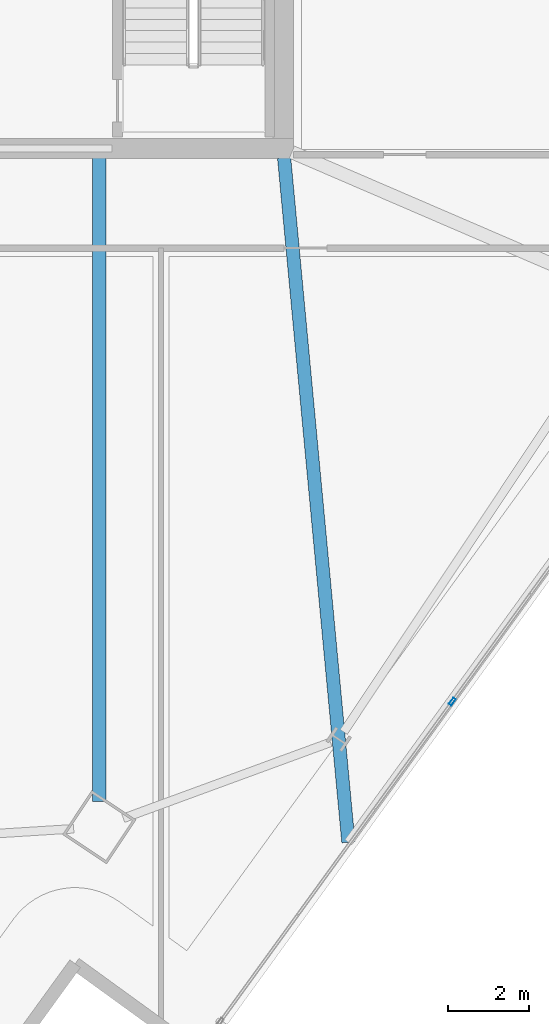
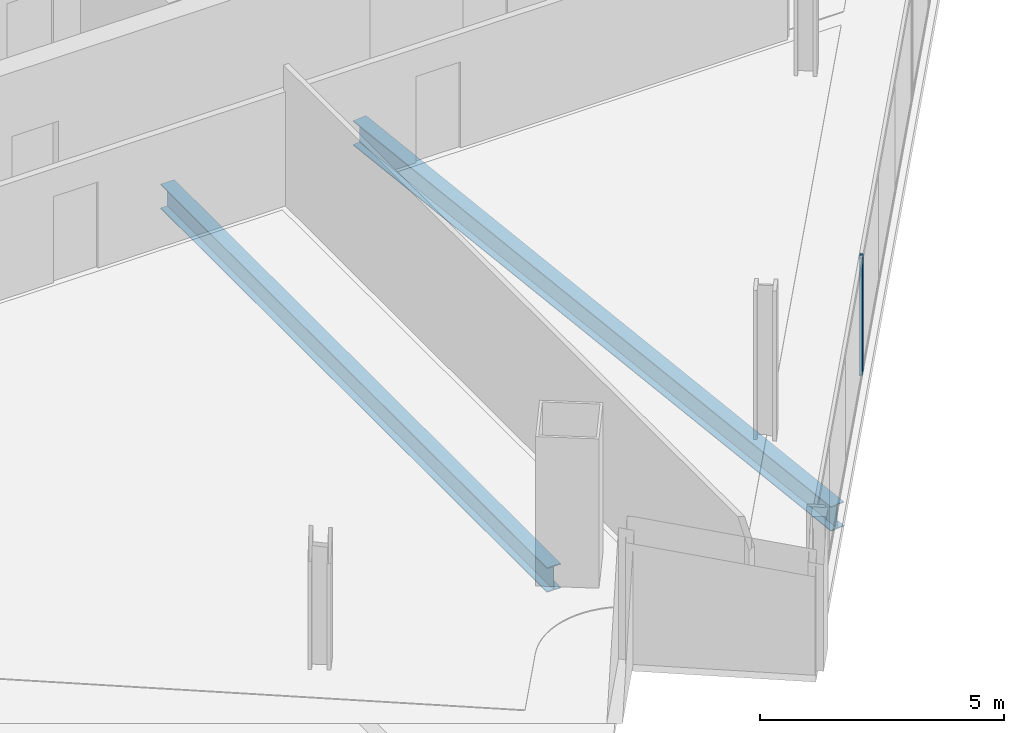
# One storey, part 9 of 29: 2 beams, 1 member, 1 element without a shape of its own.
"""IFC4 building model written with IfcOpenShell, lengths in metres."""

from ifc_helpers import new_model, si_unit, direction, frame, origin, origin_2d, place, context, subcontext, project, spatial, hollow_rectangle, i_section, extrude, material, material_profile, profile_set, type_object, element, aggregate, save


model = new_model("IFC4")

# Units and contexts
model_context = context("Model", 3, precision=1e-05, world=origin(), true_north=direction((0.0, 1.0)))
body_context = subcontext(model_context, "Body", "Model", "MODEL_VIEW")
ifc_project = project(units=[si_unit("LENGTHUNIT", "METRE"), si_unit("AREAUNIT", "SQUARE_METRE"), si_unit("VOLUMEUNIT", "CUBIC_METRE"), si_unit("PLANEANGLEUNIT", "RADIAN"), si_unit("MASSUNIT", "GRAM", prefix="KILO")], contexts=[model_context])

# Site, building, storey
site_placement = place(None, origin())
site = spatial("IfcSite", under=ifc_project, at=site_placement, CompositionType="ELEMENT")
building_placement = place(site_placement, origin())
building = spatial("IfcBuilding", under=site, at=building_placement, Name="Haldenkirk Collegiate Tower", CompositionType="ELEMENT")
storey_placement = place(building_placement, frame((0.0, 0.0, 209.699951171875)))
storey = spatial("IfcBuildingStorey", under=building, at=storey_placement, Name="L52", CompositionType="ELEMENT", Elevation=209.699951171875)

# Beams
ifc_material_1 = material(Name="Steel ASTM A992 Grade 50", Category="steel")
ifc_material_profile_1 = material_profile(ifc_material_1, i_section(OverallWidth=0.324951171875, OverallDepth=0.615966796875, WebThickness=0.013916015625, FlangeThickness=0.021484375, at=origin_2d()), Name="W24X117")
ifc_profile_set_1 = profile_set([ifc_material_profile_1], Name="Steel ASTM A992 Grade 50")
beam_type = type_object("IfcBeamType", Name="BM-GIRDER-W24X117", PredefinedType="BEAM", material=ifc_profile_set_1)
beam_1_placement = place(storey_placement, frame((40.482666015625, 1.962890625, -0.587890625), z_axis=(0.0, 1.0, 0.0), x_axis=(-1.0, 0.0, 0.0)))
element("IfcBeam", 1, at=beam_1_placement, inside=storey, type_object=beam_type, Name="L52 primary floor girder 01", PredefinedType="BEAM", context=body_context, shape_type="SweptSolid", body=[
    extrude(i_section(OverallWidth=0.324951171875, OverallDepth=0.615966796875, WebThickness=0.013916015625, FlangeThickness=0.021484375, at=origin_2d()), origin(), (0.0, 0.0, 1.0), 15.80712890625),
])
beam_2_placement = place(storey_placement, frame((46.600341796875, 0.963134765625, -0.587890625), z_axis=(-0.09352393555, 0.995617031533, 0.0), x_axis=(-0.995617031533, -0.09352393555, 0.0)))
element("IfcBeam", 2, at=beam_2_placement, inside=storey, type_object=beam_type, Name="L52 primary floor girder 05", PredefinedType="BEAM", context=body_context, shape_type="SweptSolid", body=[
    extrude(i_section(OverallWidth=0.324951171875, OverallDepth=0.615966796875, WebThickness=0.013916015625, FlangeThickness=0.021484375, at=origin_2d()), origin(), (0.0, 0.0, 1.0), 16.8818359375),
])

# Curtain wall, member
ifc_material_2 = material(Name="Anodised architectural bronze aluminium", Category="aluminium")
curtain_wall_type = type_object("IfcCurtainWallType", Name="CW-SYS2-CONCAVE", PredefinedType="USERDEFINED", material=ifc_material_2)
curtain_wall_placement = place(storey_placement, origin())
curtain_wall = element("IfcCurtainWall", 3, at=curtain_wall_placement, inside=storey, type_object=curtain_wall_type, Name="L52 South concave recessed bronze-anodised curtain wall", ObjectType="UNITISED CURTAIN WALL", PredefinedType="USERDEFINED")
ifc_material_profile_2 = material_profile(ifc_material_2, hollow_rectangle(XDim=0.074951171875, YDim=0.18994140625, WallThickness=0.0048828125, at=origin_2d()), Name="CW-MUL-02")
ifc_profile_set_2 = profile_set([ifc_material_profile_2], Name="Anodised architectural bronze aluminium")
member_type = type_object("IfcMemberType", Name="CW-MUL-02", PredefinedType="MULLION", material=ifc_profile_set_2)
member_placement = place(storey_placement, frame((49.154296875, 4.41650390625, 0.0), z_axis=(0.0, 0.0, 1.0), x_axis=(0.809528917851, -0.587080004057, 0.0)))
member = element("IfcMember", 4, at=member_placement, type_object=member_type, Name="CW-02 mullion 4", PredefinedType="MULLION", context=body_context, shape_type="SweptSolid", body=[
    extrude(hollow_rectangle(XDim=0.074951171875, YDim=0.18994140625, WallThickness=0.0048828125, at=origin_2d()), origin(), (0.0, 0.0, 1.0), 2.927978515625),
])
aggregate(curtain_wall, [member])

save(model, "model.ifc")
